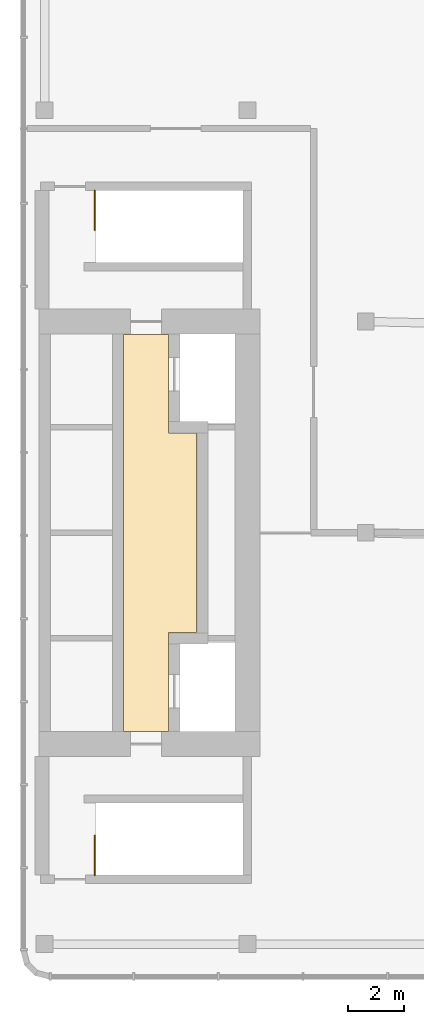
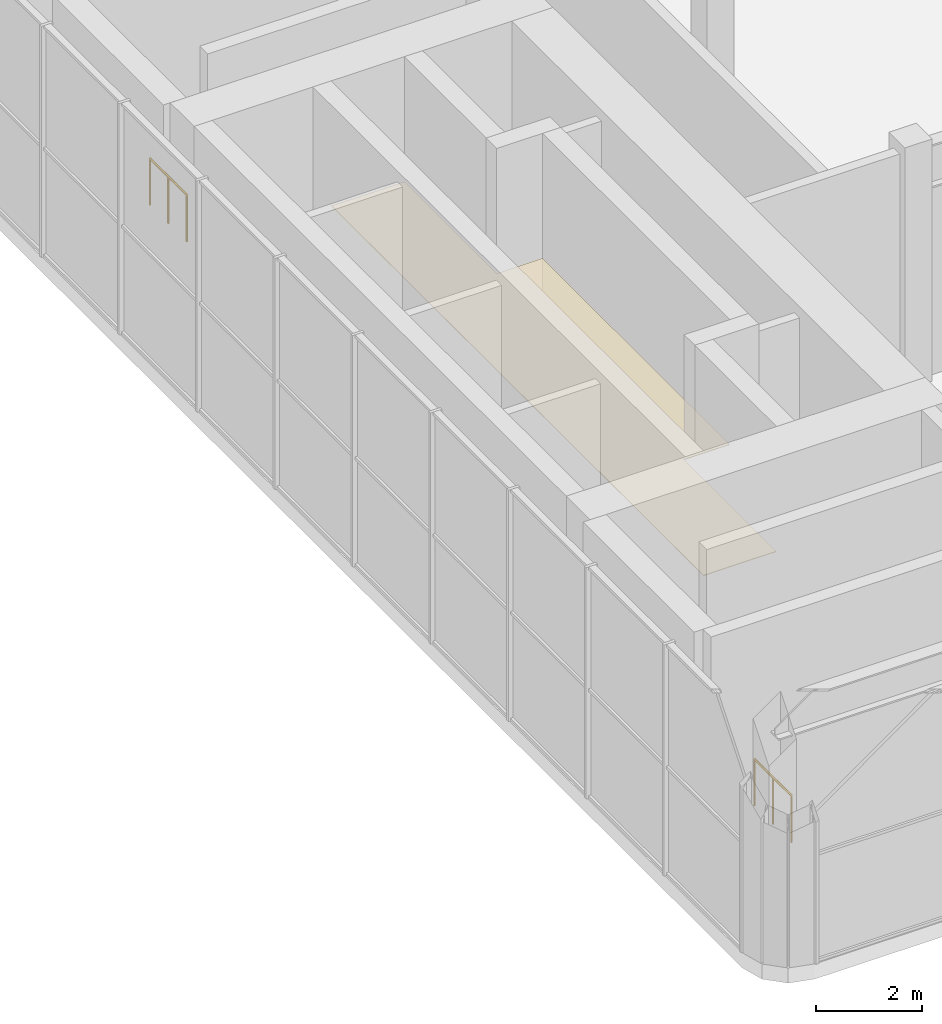
# One storey, part 6 of 6: 2 railings, 1 covering.
"""IFC4 building model written with IfcOpenShell, lengths in metres."""

import ifcopenshell
import ifcopenshell.guid

model = None  # the IFC model being written
_history = None  # IfcOwnerHistory: only IFC2X3 demands one
_inside = {}  # id of a spatial element -> (the spatial element, [elements in it])
_under = {}  # id of a project, library or spatial element -> (it, [spatial elements below it])
_declared = {}  # id of a project -> (the project, [libraries it declares])
_typed = {}  # id of a type object -> (the type object, [elements of that type])
_made_of = {}  # id of a material, layer set ... -> (it, [elements and type objects made of it])


def new_model(schema):
    """Start an empty IFC model of exactly this schema.

    Asked for "IFC4X3", IfcOpenShell would pick the latest addendum, in which some entities
    have other attributes; the version numbers below select the first issue.
    IFC2X3 requires an IfcOwnerHistory on every rooted entity: one is made here for all.
    """
    global model, _history
    if schema == "IFC4X3":
        model = ifcopenshell.file(schema_version=(4, 3, 0, 0))
    else:
        model = ifcopenshell.file(schema=schema)
    _inside.clear()
    _under.clear()
    _declared.clear()
    _typed.clear()
    _made_of.clear()
    _history = None
    if model.schema == "IFC2X3":
        org = make("IfcOrganization", Name="unknown")
        user = make(
            "IfcPersonAndOrganization",
            ThePerson=make("IfcPerson", FamilyName="unknown"),
            TheOrganization=org,
        )
        app = make(
            "IfcApplication",
            ApplicationDeveloper=org,
            Version="unknown",
            ApplicationFullName="unknown",
            ApplicationIdentifier="unknown",
        )
        _history = make(
            "IfcOwnerHistory",
            OwningUser=user,
            OwningApplication=app,
            ChangeAction="ADDED",
            CreationDate=0,
        )
    return model


def make(cls, **values):
    """One entity of the class cls with the attributes given. An attribute that is None is left unset."""
    return model.create_entity(
        cls, **{name: value for name, value in values.items() if value is not None}
    )


def rooted(cls, **values):
    """An entity with a GlobalId (a new one), such as an element, a storey or a relation."""
    return make(cls, GlobalId=ifcopenshell.guid.new(), OwnerHistory=_history, **values)


def si_unit(unit_type, name, prefix=None):
    """IfcSIUnit, for example si_unit("LENGTHUNIT", "METRE", prefix="MILLI")."""
    return make("IfcSIUnit", UnitType=unit_type, Prefix=prefix, Name=name)


def assignment(units):
    """IfcUnitAssignment: the units of a project."""
    return None if units is None else make("IfcUnitAssignment", Units=units)


def point(xyz):
    """IfcCartesianPoint."""
    return None if xyz is None else make("IfcCartesianPoint", Coordinates=xyz)


def direction(xyz):
    """IfcDirection."""
    return None if xyz is None else make("IfcDirection", DirectionRatios=xyz)


def frame(location, z_axis=None, x_axis=None):
    """IfcAxis2Placement3D, a coordinate frame: its origin and axes. An axis left out is left unset."""
    return make(
        "IfcAxis2Placement3D",
        Location=point(location),
        Axis=direction(z_axis),
        RefDirection=direction(x_axis),
    )


def frame_2d(location, x_axis=None):
    """IfcAxis2Placement2D, a coordinate frame in the plane: its origin and x axis."""
    return make(
        "IfcAxis2Placement2D", Location=point(location), RefDirection=direction(x_axis)
    )


def origin():
    """The frame at (0, 0, 0) with its axes left unset."""
    return frame((0.0, 0.0, 0.0))


def origin_2d():
    """The frame at (0, 0) in the plane with its x axis left unset."""
    return frame_2d((0.0, 0.0))


def place(relative_to, where):
    """IfcLocalPlacement: puts the frame where relative to a parent placement (None: the world)."""
    return make(
        "IfcLocalPlacement", PlacementRelTo=relative_to, RelativePlacement=where
    )


def context(
    kind, dimensions, precision=None, world=None, true_north=None, identifier=None
):
    """IfcGeometricRepresentationContext, for example the 3D "Model" context."""
    return make(
        "IfcGeometricRepresentationContext",
        ContextIdentifier=identifier,
        ContextType=kind,
        CoordinateSpaceDimension=dimensions,
        Precision=precision,
        WorldCoordinateSystem=world,
        TrueNorth=true_north,
    )


def subcontext(parent, identifier, kind, view, scale=None):
    """IfcGeometricRepresentationSubContext, for example "Body" below "Model"."""
    return make(
        "IfcGeometricRepresentationSubContext",
        ContextIdentifier=identifier,
        ContextType=kind,
        ParentContext=parent,
        TargetScale=scale,
        TargetView=view,
    )


def project(units=None, contexts=None):
    """IfcProject with its units and contexts."""
    return rooted(
        "IfcProject",
        Name="project",
        RepresentationContexts=contexts,
        UnitsInContext=assignment(units),
    )


def spatial(cls, under=None, at=None, **own):
    """A site, building, storey or space (cls), placed at a placement, below another one or the project."""
    s = rooted(cls, ObjectPlacement=at, **own)
    if under is not None:
        _under.setdefault(under.id(), (under, []))[1].append(s)
    return s


def polyline(points):
    """IfcPolyline through the points."""
    return make("IfcPolyline", Points=[point(p) for p in points])


def profile(cls, at=None, kind="AREA", **sizes):
    """A parametric profile (cls). Its sizes go by their IFC names, for example OverallWidth=200.0."""
    return make(cls, ProfileType=kind, Position=at, **sizes)


def circle(**sizes):
    """IfcCircleProfileDef."""
    return profile("IfcCircleProfileDef", **sizes)


def outline(outer, holes=None, kind="AREA"):
    """IfcArbitraryClosedProfileDef: a profile drawn as a closed curve; with holes, ...WithVoids."""
    if holes is None:
        return make("IfcArbitraryClosedProfileDef", ProfileType=kind, OuterCurve=outer)
    return make(
        "IfcArbitraryProfileDefWithVoids",
        ProfileType=kind,
        OuterCurve=outer,
        InnerCurves=holes,
    )


def extrude(swept, where, along, depth):
    """IfcExtrudedAreaSolid: the profile swept, set in the frame where, extruded along a direction by depth."""
    return make(
        "IfcExtrudedAreaSolid",
        SweptArea=swept,
        Position=where,
        ExtrudedDirection=direction(along),
        Depth=depth,
    )


def shape(context_of_items, identifier, shape_type, items):
    """IfcShapeRepresentation: the items that make up one representation, for example the "Body"."""
    return make(
        "IfcShapeRepresentation",
        ContextOfItems=context_of_items,
        RepresentationIdentifier=identifier,
        RepresentationType=shape_type,
        Items=items,
    )


def material(Name=None, Category=None):
    """IfcMaterial."""
    return make("IfcMaterial", Name=Name, Category=Category)


def layer(
    of_material, thickness, ventilated=None, Name=None, Category=None, Priority=None
):
    """IfcMaterialLayer: one layer of a wall or slab, of a material (None: an air gap)."""
    return make(
        "IfcMaterialLayer",
        Material=of_material,
        LayerThickness=thickness,
        IsVentilated=ventilated,
        Name=Name,
        Category=Category,
        Priority=Priority,
    )


def layer_set(layers, Name=None):
    """IfcMaterialLayerSet."""
    return make("IfcMaterialLayerSet", MaterialLayers=layers, LayerSetName=Name)


def made_of(thing, what):
    """Note that an element or type object is made of a material, layer set ...; save() writes the relation."""
    if what is not None:
        _made_of.setdefault(what.id(), (what, []))[1].append(thing)
    return thing


def type_object(cls, material=None, **own):
    """A type object (cls), such as IfcWallType, which elements share."""
    return made_of(rooted(cls, **own), material)


def element(
    cls,
    number,
    at=None,
    inside=None,
    cuts=None,
    type_object=None,
    material=None,
    context=None,
    identifier="Body",
    shape_type=None,
    held_by="IfcProductDefinitionShape",
    body=None,
    shapes=None,
    **own,
):
    """One element of the class cls, such as IfcWall. Its Tag is "e" and its number.

    at: its placement. inside: the storey or other place that contains it. cuts: it is an
    opening in that element (IfcRelVoidsElement). A single representation is given by context,
    identifier, shape_type and body (its items); several are given by shapes. held_by: the class
    of the entity that holds the representations. save() writes the other relations.
    """
    e = rooted(cls, Tag="e%d" % number, ObjectPlacement=at, **own)
    if body is not None:
        shapes = [shape(context, identifier, shape_type, body)]
    if shapes is not None:
        e.Representation = make(held_by, Representations=shapes)
    if inside is not None:
        _inside.setdefault(inside.id(), (inside, []))[1].append(e)
    if cuts is not None:
        rooted(
            "IfcRelVoidsElement", RelatingBuildingElement=cuts, RelatedOpeningElement=e
        )
    if type_object is not None:
        _typed.setdefault(type_object.id(), (type_object, []))[1].append(e)
    return made_of(e, material)


def aggregate(whole, parts):
    """IfcRelAggregates: a whole, such as a stair, and the parts it consists of."""
    return rooted("IfcRelAggregates", RelatingObject=whole, RelatedObjects=parts)


def save(model, path):
    """Write the relations noted so far, then the file.

    IfcRelAggregates (storeys below a building ...), IfcRelContainedInSpatialStructure (elements
    in a storey), IfcRelDefinesByType, IfcRelAssociatesMaterial and IfcRelDeclares: one each for
    every whole, place, type object, material and project.
    """
    for whole, parts in _under.values():
        aggregate(whole, parts)
    for where, things in _inside.values():
        rooted(
            "IfcRelContainedInSpatialStructure",
            RelatedElements=things,
            RelatingStructure=where,
        )
    for kind, things in _typed.values():
        rooted("IfcRelDefinesByType", RelatedObjects=things, RelatingType=kind)
    for what, things in _made_of.values():
        rooted("IfcRelAssociatesMaterial", RelatedObjects=things, RelatingMaterial=what)
    for by, libraries in _declared.values():
        rooted("IfcRelDeclares", RelatingContext=by, RelatedDefinitions=libraries)
    model.write(path)


model = new_model("IFC4")

# Units and contexts
model_context = context("Model", 3, precision=1e-05, world=origin(), true_north=direction((0.0, 1.0)))
body_context = subcontext(model_context, "Body", "Model", "MODEL_VIEW")
ifc_project = project(units=[si_unit("LENGTHUNIT", "METRE"), si_unit("AREAUNIT", "SQUARE_METRE"), si_unit("VOLUMEUNIT", "CUBIC_METRE"), si_unit("PLANEANGLEUNIT", "RADIAN"), si_unit("MASSUNIT", "GRAM", prefix="KILO")], contexts=[model_context])

# Site, building, storey
site_placement = place(None, origin())
site = spatial("IfcSite", under=ifc_project, at=site_placement, CompositionType="ELEMENT")
building_placement = place(site_placement, origin())
building = spatial("IfcBuilding", under=site, at=building_placement, Name="Sheger Commons Tower", CompositionType="ELEMENT")
storey_placement = place(building_placement, frame((0.0, 0.0, 301.60009765625)))
storey = spatial("IfcBuildingStorey", under=building, at=storey_placement, Name="L77", CompositionType="ELEMENT", Elevation=301.60009765625)

# Railings
ifc_material_1 = material(Name="Black steel guard with glass infill", Category="steel")
railing_type = type_object("IfcRailingType", Name="GUARD 1100", PredefinedType="GUARDRAIL", material=ifc_material_1)
for number, where, name in (
    (1, (23.3798828125, 10.35009765625, 0.0), "Stair S1 well guard L77"),
    (2, (23.3798828125, 33.25, 0.0), "Stair S2 well guard L77"),
):
    element("IfcRailing", number, at=place(storey_placement, frame(where)), inside=storey, type_object=railing_type, Name=name, PredefinedType="GUARDRAIL", context=body_context, shape_type="SweptSolid", body=[
        extrude(circle(Radius=0.02392578125, at=origin_2d()), frame((0.0, 0.0, 1.0771484375), z_axis=(0.0, 1.0, 0.0), x_axis=(-1.0, 0.0, 0.0)), (0.0, 0.0, 1.0), 1.39990234375),
        extrude(circle(Radius=0.02099609375, at=origin_2d()), origin(), (0.0, 0.0, 1.0), 1.052001953125),
        extrude(circle(Radius=0.02099609375, at=origin_2d()), frame((0.0, 0.699951171875, 0.0)), (0.0, 0.0, 1.0), 1.052001953125),
        extrude(circle(Radius=0.02099609375, at=origin_2d()), frame((0.0, 1.39990234375, 0.0)), (0.0, 0.0, 1.0), 1.052001953125),
    ])

# Covering
ifc_material_2 = material(Name="Gypsum plasterboard 15 mm on a suspended steel grid", Category="steel")
ifc_layer = layer(ifc_material_2, 0.014892578125)
ifc_layer_set = layer_set([ifc_layer], Name="SUSPENDED CEILING 15")
covering_type = type_object("IfcCoveringType", Name="SUSPENDED CEILING 15", PredefinedType="CEILING", material=ifc_layer_set)
covering_placement = place(storey_placement, frame((0.0, 0.0, 2.699951171875)))
element("IfcCovering", 3, at=covering_placement, inside=storey, type_object=covering_type, Name="L77-FL ceiling", PredefinedType="CEILING", context=body_context, shape_type="SweptSolid", body=[
    extrude(outline(polyline([(24.405029296875, 15.455078125), (25.9951171875, 15.455078125), (25.9951171875, 18.955078125), (26.9951171875, 18.955078125), (26.9951171875, 26.044921875), (25.9951171875, 26.044921875), (25.9951171875, 29.544921875), (24.405029296875, 29.544921875), (24.405029296875, 15.455078125)])), origin(), (0.0, 0.0, 1.0), 0.014892578125),
])

save(model, "model.ifc")
